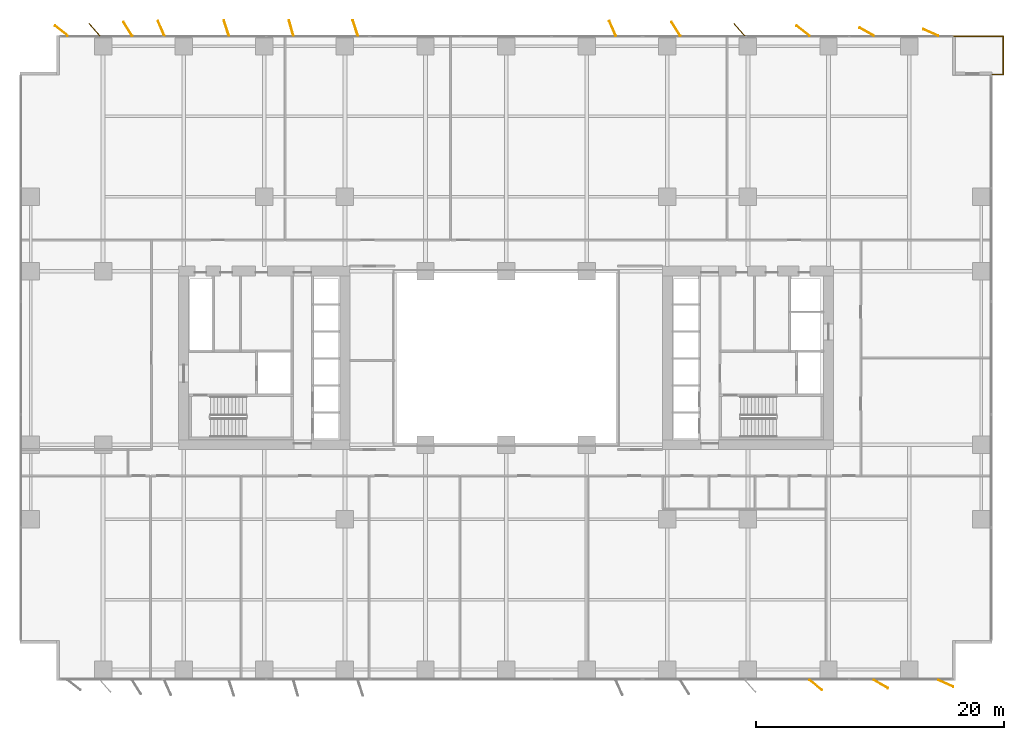
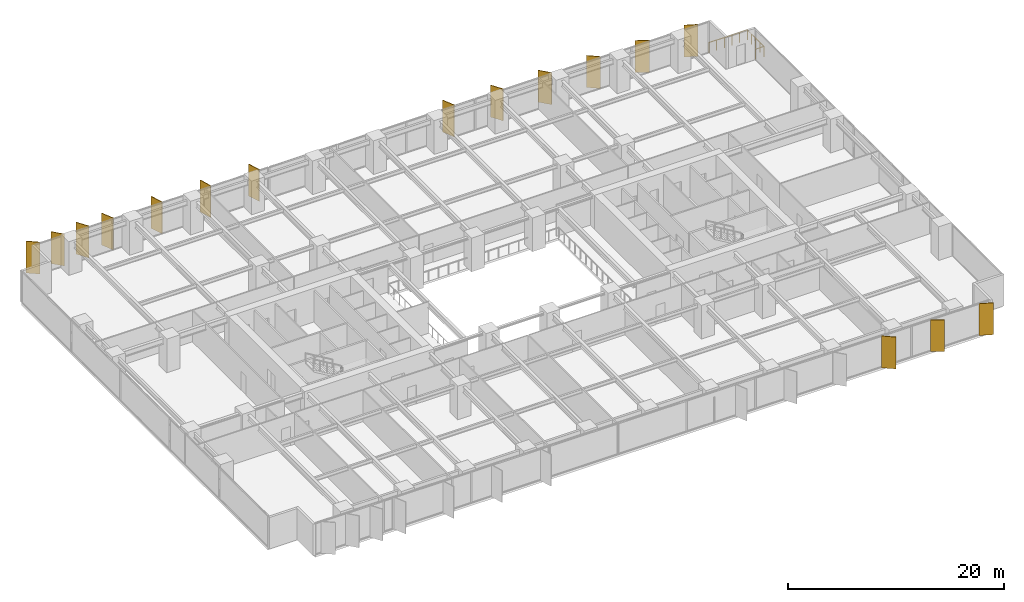
# One storey, part 20 of 20: 16 shading devices, 1 railing.
"""IFC4 building model written with IfcOpenShell, lengths in metres."""

from ifc_helpers import new_model, si_unit, direction, frame, origin, origin_2d, place, context, subcontext, project, spatial, rectangle, circle, extrude, material, layer, layer_set, type_object, element, save


model = new_model("IFC4")

# Units and contexts
model_context = context("Model", 3, precision=1e-05, world=origin(), true_north=direction((0.0, 1.0)))
body_context = subcontext(model_context, "Body", "Model", "MODEL_VIEW")
ifc_project = project(units=[si_unit("LENGTHUNIT", "METRE"), si_unit("AREAUNIT", "SQUARE_METRE"), si_unit("VOLUMEUNIT", "CUBIC_METRE"), si_unit("PLANEANGLEUNIT", "RADIAN"), si_unit("MASSUNIT", "GRAM", prefix="KILO")], contexts=[model_context])

# Site, building, storey
site_placement = place(None, origin())
site = spatial("IfcSite", under=ifc_project, at=site_placement, CompositionType="ELEMENT")
building_placement = place(site_placement, origin())
building = spatial("IfcBuilding", under=site, at=building_placement, Name="Putna Gate Headquarters", CompositionType="ELEMENT")
storey_placement = place(building_placement, frame((0.0, 0.0, 65.800048828125)))
storey = spatial("IfcBuildingStorey", under=building, at=storey_placement, Name="L15", CompositionType="ELEMENT", Elevation=65.800048828125)

# Railing
ifc_material_1 = material(Name="Anodised bronze steel and laminated glass guardrail", Category="steel")
railing_type = type_object("IfcRailingType", Name="RAIL-TERR-GUARD-1150", PredefinedType="GUARDRAIL", material=ifc_material_1)
railing_placement = place(storey_placement, frame((78.199951171875, 48.860107421875, 0.0)))
element("IfcRailing", 1, at=railing_placement, inside=storey, type_object=railing_type, Name="L15 Spiral Sky Terrace Guardrail NE", PredefinedType="GUARDRAIL", context=body_context, shape_type="SweptSolid", body=[
    extrude(circle(Radius=0.02392578125, at=origin_2d()), frame((0.0, 0.0, 1.1259765625), z_axis=(1.0, 0.0, 0.0), x_axis=(0.0, 1.0, 0.0)), (0.0, 0.0, 1.0), 0.89013671875),
    extrude(circle(Radius=0.02392578125, at=origin_2d()), frame((0.89013671875, 0.0, 1.1259765625), z_axis=(0.0, 1.0, 0.0), x_axis=(-1.0, 0.0, 0.0)), (0.0, 0.0, 1.0), 3.079833984375),
    extrude(circle(Radius=0.02392578125, at=origin_2d()), frame((0.89013671875, 3.079833984375, 1.1259765625), z_axis=(-1.0, 0.0, 0.0), x_axis=(0.0, -1.0, 0.0)), (0.0, 0.0, 1.0), 4.090087890625),
    extrude(circle(Radius=0.02099609375, at=origin_2d()), origin(), (0.0, 0.0, 1.0), 1.101806640625),
    extrude(circle(Radius=0.02099609375, at=origin_2d()), frame((0.89013671875, 0.0, 0.0)), (0.0, 0.0, 1.0), 1.101806640625),
    extrude(circle(Radius=0.02099609375, at=origin_2d()), frame((0.89013671875, 0.77001953125, 0.0)), (0.0, 0.0, 1.0), 1.101806640625),
    extrude(circle(Radius=0.02099609375, at=origin_2d()), frame((0.89013671875, 1.5400390625, 0.0)), (0.0, 0.0, 1.0), 1.101806640625),
    extrude(circle(Radius=0.02099609375, at=origin_2d()), frame((0.89013671875, 2.309814453125, 0.0)), (0.0, 0.0, 1.0), 1.101806640625),
    extrude(circle(Radius=0.02099609375, at=origin_2d()), frame((0.89013671875, 3.079833984375, 0.0)), (0.0, 0.0, 1.0), 1.101806640625),
    extrude(circle(Radius=0.02099609375, at=origin_2d()), frame((0.072021484375, 3.079833984375, 0.0)), (0.0, 0.0, 1.0), 1.101806640625),
    extrude(circle(Radius=0.02099609375, at=origin_2d()), frame((-0.745849609375, 3.079833984375, 0.0)), (0.0, 0.0, 1.0), 1.101806640625),
    extrude(circle(Radius=0.02099609375, at=origin_2d()), frame((-1.56396484375, 3.079833984375, 0.0)), (0.0, 0.0, 1.0), 1.101806640625),
    extrude(circle(Radius=0.02099609375, at=origin_2d()), frame((-2.3818359375, 3.079833984375, 0.0)), (0.0, 0.0, 1.0), 1.101806640625),
    extrude(circle(Radius=0.02099609375, at=origin_2d()), frame((-3.199951171875, 3.079833984375, 0.0)), (0.0, 0.0, 1.0), 1.101806640625),
])

# Shading devices
ifc_material_2 = material(Name="Anodised architectural bronze aluminium fin", Category="aluminium")
ifc_layer = layer(ifc_material_2, 0.06494140625)
ifc_layer_set = layer_set([ifc_layer], Name="Anodised architectural bronze aluminium fin")
shading_device_type = type_object("IfcShadingDeviceType", Name="SHADE-BRONZE-FIN-1320", PredefinedType="USERDEFINED", material=ifc_layer_set)
for number, where, z_axis, x_axis, name in (
    (2, (3.13037109375, 52.3818359375, -0.02001953125), (0.0, 0.0, 1.0), (-0.787473187632, 0.616348909921, 0.0), "L15 Bronze Vertical Shading Fin N1"),
    (3, (5.808349609375, 52.465576171875, -0.02001953125), (0.0, 0.0, 1.0), (-0.669130606359, 0.743144825477, 0.0), "L15 Bronze Vertical Shading Fin N2"),
    (4, (8.499755859375, 52.534423828125, -0.02001953125), (0.0, 0.0, 1.0), (-0.530659123936, 0.847585331506, 0.0), "L15 Bronze Vertical Shading Fin N3"),
    (5, (11.185546875, 52.57958984375, -0.02001953125), (0.0, 0.0, 1.0), (-0.400668879095, 0.916222925562, 0.0), "L15 Bronze Vertical Shading Fin N4"),
    (6, (16.4462890625, 52.602783203125, -0.02001953125), (0.0, 0.0, 1.0), (-0.308684994204, 0.951164325631, 0.0), "L15 Bronze Vertical Shading Fin N5"),
    (7, (21.668212890625, 52.609375, -0.02001953125), (0.0, 0.0, 1.0), (-0.275637355817, 0.961261695938, 0.0), "L15 Bronze Vertical Shading Fin N6"),
    (8, (26.84619140625, 52.602783203125, -0.02001953125), (0.0, 0.0, 1.0), (-0.308684994204, 0.951164325631, 0.0), "L15 Bronze Vertical Shading Fin N7"),
    (9, (47.585693359375, 52.57958984375, -0.02001953125), (0.0, 0.0, 1.0), (-0.400668879095, 0.916222925562, 0.0), "L15 Bronze Vertical Shading Fin N8"),
    (10, (52.69970703125, 52.534423828125, -0.02001953125), (0.0, 0.0, 1.0), (-0.530659123936, 0.847585331506, 0.0), "L15 Bronze Vertical Shading Fin N9"),
    (11, (57.808349609375, 52.465576171875, -0.02001953125), (0.0, 0.0, 1.0), (-0.669130606359, 0.743144825477, 0.0), "L15 Bronze Vertical Shading Fin N10"),
    (12, (63.9697265625, -0.3818359375, -0.02001953125), (0.0, 0.0, 1.0), (0.787473187632, -0.616348909921, 0.0), "L15 Bronze Vertical Shading Fin S11"),
    (13, (62.930419921875, 52.3818359375, -0.02001953125), (0.0, 0.0, 1.0), (-0.787473187632, 0.616348909921, 0.0), "L15 Bronze Vertical Shading Fin N11"),
    (14, (69.223876953125, -0.30126953125, -0.02001953125), (0.0, 0.0, 1.0), (0.869322458298, -0.494245347472, 0.0), "L15 Bronze Vertical Shading Fin S12"),
    (15, (68.076171875, 52.30126953125, -0.02001953125), (0.0, 0.0, 1.0), (-0.869322458298, 0.494245347472, 0.0), "L15 Bronze Vertical Shading Fin N12"),
    (16, (74.452880859375, -0.2431640625, -0.02001953125), (0.0, 0.0, 1.0), (0.913687379856, -0.40641773078, 0.0), "L15 Bronze Vertical Shading Fin S13"),
    (17, (73.2470703125, 52.2431640625, -0.02001953125), (0.0, 0.0, 1.0), (-0.913687379856, 0.40641773078, 0.0), "L15 Bronze Vertical Shading Fin N13"),
):
    element("IfcShadingDevice", number, at=place(storey_placement, frame(where, z_axis=z_axis, x_axis=x_axis)), inside=storey, type_object=shading_device_type, Name=name, ObjectType="FIN", PredefinedType="USERDEFINED", context=body_context, shape_type="SweptSolid", body=[
        extrude(rectangle(XDim=1.320068359375, YDim=0.06494140625, at=origin_2d()), origin(), (0.0, 0.0, 1.0), 3.590087890625),
    ])

save(model, "model.ifc")
